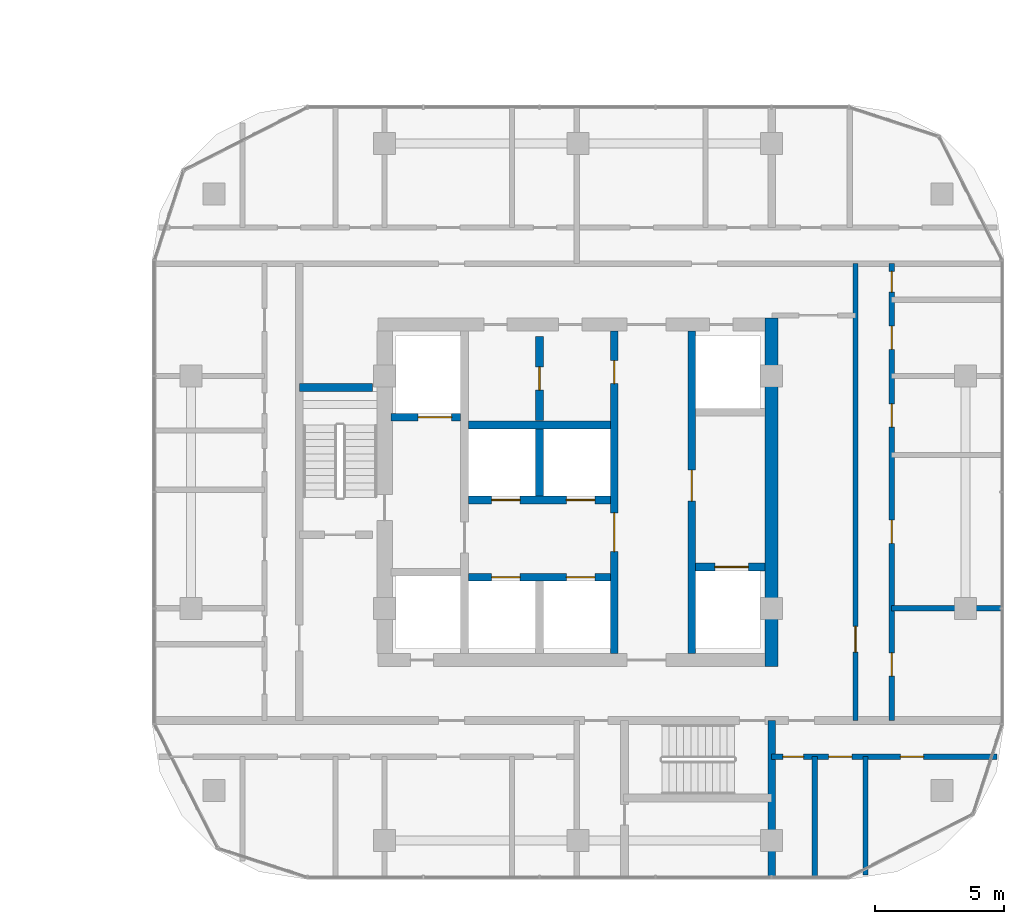
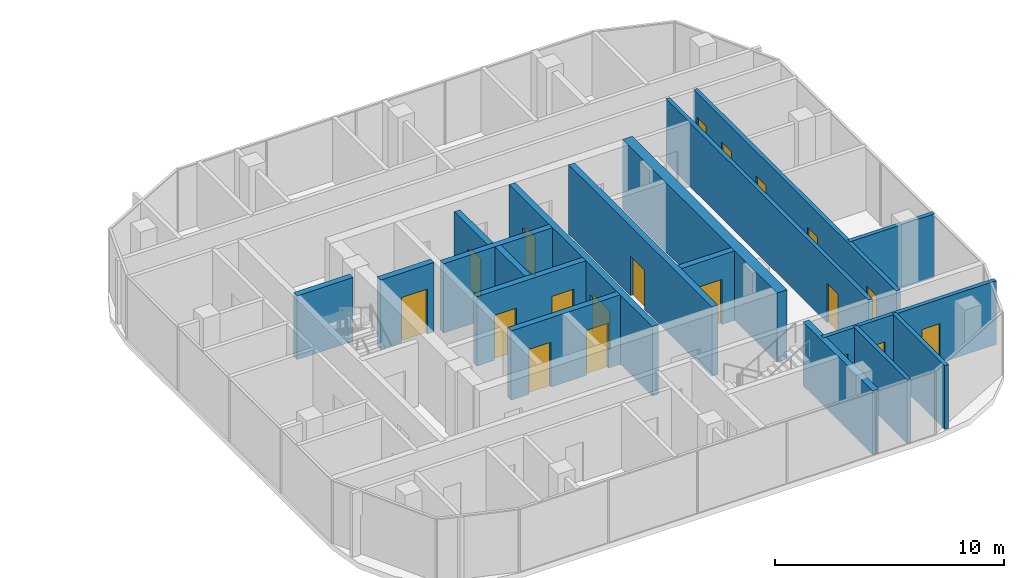
# One storey, part 23 of 33: 19 doors, 18 walls, 19 openings.
"""IFC4 building model written with IfcOpenShell, lengths in metres."""

from ifc_helpers import new_model, si_unit, direction, frame, frame_2d, origin, place, context, subcontext, project, spatial, rectangle, extrude, material, layer, layer_set, type_object, element, fill, save


model = new_model("IFC4")

# Units and contexts
model_context = context("Model", 3, precision=1e-05, world=origin(), true_north=direction((0.0, 1.0)))
body_context = subcontext(model_context, "Body", "Model", "MODEL_VIEW")
ifc_project = project(units=[si_unit("LENGTHUNIT", "METRE"), si_unit("AREAUNIT", "SQUARE_METRE"), si_unit("VOLUMEUNIT", "CUBIC_METRE"), si_unit("PLANEANGLEUNIT", "RADIAN"), si_unit("MASSUNIT", "GRAM", prefix="KILO")], contexts=[model_context])

# Site, building, storey
site_placement = place(None, origin())
site = spatial("IfcSite", under=ifc_project, at=site_placement, CompositionType="ELEMENT")
building_placement = place(site_placement, origin())
building = spatial("IfcBuilding", under=site, at=building_placement, Name="Ogive Portal Towers", CompositionType="ELEMENT")
storey_placement = place(building_placement, frame((0.0, 0.0, 77.89990234375)))
storey = spatial("IfcBuildingStorey", under=building, at=storey_placement, Name="L18", CompositionType="ELEMENT", Elevation=77.89990234375)

# Wall, openings, doors
ifc_material_1 = material(Name="Concrete C60/75", Category="concrete")
ifc_layer_1 = layer(ifc_material_1, 0.300048828125)
ifc_layer_set_1 = layer_set([ifc_layer_1], Name="CORE WALL 300 C60")
wall_type_1 = type_object("IfcWallType", Name="CORE WALL 300 C60", PredefinedType="SHEAR", material=ifc_layer_set_1)
wall_1_placement = place(storey_placement, frame((137.89990234375, 24.75, 0.0), z_axis=(0.0, 0.0, 1.0), x_axis=(0.0, 1.0, 0.0)))
wall_1 = element("IfcWall", 1, at=wall_1_placement, inside=storey, type_object=wall_type_1, Name="Tower B core wall BX2 L18", PredefinedType="SHEAR", context=body_context, shape_type="SweptSolid", body=[
    extrude(rectangle(XDim=12.5, YDim=0.300048828125, at=frame_2d((6.25, 0.0))), origin(), (0.0, 0.0, 1.0), 3.7001953125),
])
opening_1_placement = place(wall_1_placement, frame((3.949951171875, 0.0, 0.0)))
opening_1 = element("IfcOpeningElement", 2, at=opening_1_placement, cuts=wall_1, Name="Opening B05-041", PredefinedType="OPENING", context=body_context, shape_type="SweptSolid", body=[
    extrude(rectangle(XDim=1.5, YDim=2.10009765625, at=frame_2d((0.75, 1.050048828125))), frame((0.0, 0.16015625, 0.0), z_axis=(0.0, -1.0, 0.0), x_axis=(1.0, 0.0, 0.0)), (0.0, 0.0, 1.0), 0.320068359375),
])
opening_2_placement = place(wall_1_placement, frame((10.449951171875, 0.0, 0.0)))
opening_2 = element("IfcOpeningElement", 3, at=opening_2_placement, cuts=wall_1, Name="Opening B05-057", PredefinedType="OPENING", context=body_context, shape_type="SweptSolid", body=[
    extrude(rectangle(XDim=0.89990234375, YDim=2.10009765625, at=frame_2d((0.449951171875, 1.050048828125))), frame((0.0, 0.16015625, 0.0), z_axis=(0.0, -1.0, 0.0), x_axis=(1.0, 0.0, 0.0)), (0.0, 0.0, 1.0), 0.320068359375),
])
ifc_material_2 = material(Name="Steel fire door", Category="steel")
door_type_1 = type_object("IfcDoorType", Name="DT-SWING-1500x2100-FD90S", OperationType="SINGLE_SWING_LEFT", PredefinedType="DOOR", material=ifc_material_2)
door_1_placement = place(opening_1_placement, origin())
door_1 = element("IfcDoor", 4, at=door_1_placement, inside=storey, type_object=door_type_1, Name="Door B05-041", OperationType="SINGLE_SWING_RIGHT", OverallHeight=2.10009765625, OverallWidth=1.5, PredefinedType="DOOR", context=body_context, shape_type="SweptSolid", body=[
    extrude(rectangle(XDim=1.5, YDim=2.10009765625, at=frame_2d((0.75, 1.050048828125))), frame((0.0, 0.02490234375, 0.0), z_axis=(0.0, -1.0, 0.0), x_axis=(1.0, 0.0, 0.0)), (0.0, 0.0, 1.0), 0.050048828125),
])
fill(opening_1, door_1)
door_type_2 = type_object("IfcDoorType", Name="DT-SWING-900x2100-FD90S", OperationType="SINGLE_SWING_LEFT", PredefinedType="DOOR", material=ifc_material_2)
door_2_placement = place(opening_2_placement, origin())
door_2 = element("IfcDoor", 5, at=door_2_placement, inside=storey, type_object=door_type_2, Name="Door B05-057", OperationType="SINGLE_SWING_RIGHT", OverallHeight=2.10009765625, OverallWidth=0.89990234375, PredefinedType="DOOR", context=body_context, shape_type="SweptSolid", body=[
    extrude(rectangle(XDim=0.89990234375, YDim=2.10009765625, at=frame_2d((0.449951171875, 1.050048828125))), frame((0.0, 0.02490234375, 0.0), z_axis=(0.0, -1.0, 0.0), x_axis=(1.0, 0.0, 0.0)), (0.0, 0.0, 1.0), 0.050048828125),
])
fill(opening_2, door_2)

# Wall, opening, door
wall_2_placement = place(storey_placement, frame((140.89990234375, 24.75, 0.0), z_axis=(0.0, 0.0, 1.0), x_axis=(0.0, 1.0, 0.0)))
wall_2 = element("IfcWall", 6, at=wall_2_placement, inside=storey, type_object=wall_type_1, Name="Tower B core wall BX3 L18", PredefinedType="SHEAR", context=body_context, shape_type="SweptSolid", body=[
    extrude(rectangle(XDim=12.5, YDim=0.300048828125, at=frame_2d((6.25, 0.0))), origin(), (0.0, 0.0, 1.0), 3.7001953125),
])
opening_3_placement = place(wall_2_placement, frame((5.89990234375, 0.0, 0.0)))
opening_3 = element("IfcOpeningElement", 7, at=opening_3_placement, cuts=wall_2, Name="Opening B05-043", PredefinedType="OPENING", context=body_context, shape_type="SweptSolid", body=[
    extrude(rectangle(XDim=1.199951171875, YDim=2.10009765625, at=frame_2d((0.60009765625, 1.050048828125))), frame((0.0, 0.16015625, 0.0), z_axis=(0.0, -1.0, 0.0), x_axis=(1.0, 0.0, 0.0)), (0.0, 0.0, 1.0), 0.320068359375),
])
door_type_3 = type_object("IfcDoorType", Name="DT-SWING-1200x2100-FD90S", OperationType="SINGLE_SWING_LEFT", PredefinedType="DOOR", material=ifc_material_2)
door_3_placement = place(opening_3_placement, origin())
door_3 = element("IfcDoor", 8, at=door_3_placement, inside=storey, type_object=door_type_3, Name="Door B05-043", OperationType="SINGLE_SWING_RIGHT", OverallHeight=2.10009765625, OverallWidth=1.199951171875, PredefinedType="DOOR", context=body_context, shape_type="SweptSolid", body=[
    extrude(rectangle(XDim=1.199951171875, YDim=2.10009765625, at=frame_2d((0.60009765625, 1.050048828125))), frame((0.0, 0.02490234375, 0.0), z_axis=(0.0, -1.0, 0.0), x_axis=(1.0, 0.0, 0.0)), (0.0, 0.0, 1.0), 0.050048828125),
])
fill(opening_3, door_3)

# Wall
wall_3_placement = place(storey_placement, frame((135.0, 30.85009765625, 0.0), z_axis=(0.0, 0.0, 1.0), x_axis=(0.0, 1.0, 0.0)))
element("IfcWall", 9, at=wall_3_placement, inside=storey, type_object=wall_type_1, Name="Tower B core wall BX5 L18", PredefinedType="SHEAR", context=body_context, shape_type="SweptSolid", body=[
    extrude(rectangle(XDim=2.599853515625, YDim=0.300048828125, at=frame_2d((1.2998046875, 0.0))), origin(), (0.0, 0.0, 1.0), 3.7001953125),
])

# Wall, openings, doors
wall_4_placement = place(storey_placement, frame((132.25, 27.699951171875, 0.0), z_axis=(0.0, 0.0, 1.0), x_axis=(1.0, 0.0, 0.0)))
wall_4 = element("IfcWall", 10, at=wall_4_placement, inside=storey, type_object=wall_type_1, Name="Tower B core wall BY1 L18", PredefinedType="SHEAR", context=body_context, shape_type="SweptSolid", body=[
    extrude(rectangle(XDim=5.5, YDim=0.300048828125, at=frame_2d((2.75, 0.0))), origin(), (0.0, 0.0, 1.0), 3.7001953125),
])
opening_4_placement = place(wall_4_placement, frame((0.89990234375, 0.0, 0.0)))
opening_4 = element("IfcOpeningElement", 11, at=opening_4_placement, cuts=wall_4, Name="Opening B05-049", PredefinedType="OPENING", context=body_context, shape_type="SweptSolid", body=[
    extrude(rectangle(XDim=1.10009765625, YDim=2.39990234375, at=frame_2d((0.550048828125, 1.199951171875))), frame((0.0, 0.16015625, 0.0), z_axis=(0.0, -1.0, 0.0), x_axis=(1.0, 0.0, 0.0)), (0.0, 0.0, 1.0), 0.320068359375),
])
opening_5_placement = place(wall_4_placement, frame((3.800048828125, 0.0, 0.0)))
opening_5 = element("IfcOpeningElement", 12, at=opening_5_placement, cuts=wall_4, Name="Opening B05-050", PredefinedType="OPENING", context=body_context, shape_type="SweptSolid", body=[
    extrude(rectangle(XDim=1.10009765625, YDim=2.39990234375, at=frame_2d((0.550048828125, 1.199951171875))), frame((0.0, 0.16015625, 0.0), z_axis=(0.0, -1.0, 0.0), x_axis=(1.0, 0.0, 0.0)), (0.0, 0.0, 1.0), 0.320068359375),
])
ifc_material_3 = material(Name="Stainless steel", Category="steel")
door_type_4 = type_object("IfcDoorType", Name="DT-LD-1100x2400", OperationType="SLIDING_TO_LEFT", PredefinedType="DOOR", material=ifc_material_3)
door_4_placement = place(opening_4_placement, origin())
door_4 = element("IfcDoor", 13, at=door_4_placement, inside=storey, type_object=door_type_4, Name="Door B05-049", OperationType="SLIDING_TO_LEFT", OverallHeight=2.39990234375, OverallWidth=1.10009765625, PredefinedType="DOOR", context=body_context, shape_type="SweptSolid", body=[
    extrude(rectangle(XDim=1.10009765625, YDim=2.39990234375, at=frame_2d((0.550048828125, 1.199951171875))), frame((0.0, 0.02490234375, 0.0), z_axis=(0.0, -1.0, 0.0), x_axis=(1.0, 0.0, 0.0)), (0.0, 0.0, 1.0), 0.050048828125),
])
fill(opening_4, door_4)
door_5_placement = place(opening_5_placement, origin())
door_5 = element("IfcDoor", 14, at=door_5_placement, inside=storey, type_object=door_type_4, Name="Door B05-050", OperationType="SLIDING_TO_LEFT", OverallHeight=2.39990234375, OverallWidth=1.10009765625, PredefinedType="DOOR", context=body_context, shape_type="SweptSolid", body=[
    extrude(rectangle(XDim=1.10009765625, YDim=2.39990234375, at=frame_2d((0.550048828125, 1.199951171875))), frame((0.0, 0.02490234375, 0.0), z_axis=(0.0, -1.0, 0.0), x_axis=(1.0, 0.0, 0.0)), (0.0, 0.0, 1.0), 0.050048828125),
])
fill(opening_5, door_5)

wall_5_placement = place(storey_placement, frame((132.25, 30.699951171875, 0.0), z_axis=(0.0, 0.0, 1.0), x_axis=(1.0, 0.0, 0.0)))
wall_5 = element("IfcWall", 15, at=wall_5_placement, inside=storey, type_object=wall_type_1, Name="Tower B core wall BY2 L18", PredefinedType="SHEAR", context=body_context, shape_type="SweptSolid", body=[
    extrude(rectangle(XDim=5.5, YDim=0.300048828125, at=frame_2d((2.75, 0.0))), origin(), (0.0, 0.0, 1.0), 3.7001953125),
])
opening_6_placement = place(wall_5_placement, frame((0.89990234375, 0.0, 0.0)))
opening_6 = element("IfcOpeningElement", 16, at=opening_6_placement, cuts=wall_5, Name="Opening B05-051", PredefinedType="OPENING", context=body_context, shape_type="SweptSolid", body=[
    extrude(rectangle(XDim=1.10009765625, YDim=2.39990234375, at=frame_2d((0.550048828125, 1.199951171875))), frame((0.0, 0.16015625, 0.0), z_axis=(0.0, -1.0, 0.0), x_axis=(1.0, 0.0, 0.0)), (0.0, 0.0, 1.0), 0.320068359375),
])
opening_7_placement = place(wall_5_placement, frame((3.800048828125, 0.0, 0.0)))
opening_7 = element("IfcOpeningElement", 17, at=opening_7_placement, cuts=wall_5, Name="Opening B05-052", PredefinedType="OPENING", context=body_context, shape_type="SweptSolid", body=[
    extrude(rectangle(XDim=1.10009765625, YDim=2.39990234375, at=frame_2d((0.550048828125, 1.199951171875))), frame((0.0, 0.16015625, 0.0), z_axis=(0.0, -1.0, 0.0), x_axis=(1.0, 0.0, 0.0)), (0.0, 0.0, 1.0), 0.320068359375),
])
door_6_placement = place(opening_6_placement, origin())
door_6 = element("IfcDoor", 18, at=door_6_placement, inside=storey, type_object=door_type_4, Name="Door B05-051", OperationType="SLIDING_TO_LEFT", OverallHeight=2.39990234375, OverallWidth=1.10009765625, PredefinedType="DOOR", context=body_context, shape_type="SweptSolid", body=[
    extrude(rectangle(XDim=1.10009765625, YDim=2.39990234375, at=frame_2d((0.550048828125, 1.199951171875))), frame((0.0, 0.02490234375, 0.0), z_axis=(0.0, -1.0, 0.0), x_axis=(1.0, 0.0, 0.0)), (0.0, 0.0, 1.0), 0.050048828125),
])
fill(opening_6, door_6)
door_7_placement = place(opening_7_placement, origin())
door_7 = element("IfcDoor", 19, at=door_7_placement, inside=storey, type_object=door_type_4, Name="Door B05-052", OperationType="SLIDING_TO_LEFT", OverallHeight=2.39990234375, OverallWidth=1.10009765625, PredefinedType="DOOR", context=body_context, shape_type="SweptSolid", body=[
    extrude(rectangle(XDim=1.10009765625, YDim=2.39990234375, at=frame_2d((0.550048828125, 1.199951171875))), frame((0.0, 0.02490234375, 0.0), z_axis=(0.0, -1.0, 0.0), x_axis=(1.0, 0.0, 0.0)), (0.0, 0.0, 1.0), 0.050048828125),
])
fill(opening_7, door_7)

# Wall
wall_6_placement = place(storey_placement, frame((132.25, 33.60009765625, 0.0), z_axis=(0.0, 0.0, 1.0), x_axis=(1.0, 0.0, 0.0)))
element("IfcWall", 20, at=wall_6_placement, inside=storey, type_object=wall_type_1, Name="Tower B core wall BY3 L18", PredefinedType="SHEAR", context=body_context, shape_type="SweptSolid", body=[
    extrude(rectangle(XDim=5.5, YDim=0.300048828125, at=frame_2d((2.75, 0.0))), origin(), (0.0, 0.0, 1.0), 3.7001953125),
])

# Wall, opening, door
wall_7_placement = place(storey_placement, frame((129.25, 33.89990234375, 0.0), z_axis=(0.0, 0.0, 1.0), x_axis=(1.0, 0.0, 0.0)))
wall_7 = element("IfcWall", 21, at=wall_7_placement, inside=storey, type_object=wall_type_1, Name="Tower B core wall BY5 L18", PredefinedType="SHEAR", context=body_context, shape_type="SweptSolid", body=[
    extrude(rectangle(XDim=2.699951171875, YDim=0.300048828125, at=frame_2d((1.35009765625, 0.0))), origin(), (0.0, 0.0, 1.0), 3.7001953125),
])
opening_8_placement = place(wall_7_placement, frame((1.050048828125, 0.0, 0.0)))
opening_8 = element("IfcOpeningElement", 22, at=opening_8_placement, cuts=wall_7, Name="Opening B05-053", PredefinedType="OPENING", context=body_context, shape_type="SweptSolid", body=[
    extrude(rectangle(XDim=1.300048828125, YDim=2.39990234375, at=frame_2d((0.64990234375, 1.199951171875))), frame((0.0, 0.16015625, 0.0), z_axis=(0.0, -1.0, 0.0), x_axis=(1.0, 0.0, 0.0)), (0.0, 0.0, 1.0), 0.320068359375),
])
door_type_5 = type_object("IfcDoorType", Name="DT-LD-1300x2400", OperationType="SLIDING_TO_LEFT", PredefinedType="DOOR", material=ifc_material_3)
door_8_placement = place(opening_8_placement, origin())
door_8 = element("IfcDoor", 23, at=door_8_placement, inside=storey, type_object=door_type_5, Name="Door B05-053", OperationType="SLIDING_TO_LEFT", OverallHeight=2.39990234375, OverallWidth=1.300048828125, PredefinedType="DOOR", context=body_context, shape_type="SweptSolid", body=[
    extrude(rectangle(XDim=1.300048828125, YDim=2.39990234375, at=frame_2d((0.64990234375, 1.199951171875))), frame((0.0, 0.02490234375, 0.0), z_axis=(0.0, -1.0, 0.0), x_axis=(1.0, 0.0, 0.0)), (0.0, 0.0, 1.0), 0.050048828125),
])
fill(opening_8, door_8)

wall_8_placement = place(storey_placement, frame((141.050048828125, 28.10009765625, 0.0), z_axis=(0.0, 0.0, 1.0), x_axis=(1.0, 0.0, 0.0)))
wall_8 = element("IfcWall", 24, at=wall_8_placement, inside=storey, type_object=wall_type_1, Name="Tower B core wall BY6 L18", PredefinedType="SHEAR", context=body_context, shape_type="SweptSolid", body=[
    extrude(rectangle(XDim=2.699951171875, YDim=0.300048828125, at=frame_2d((1.35009765625, 0.0))), origin(), (0.0, 0.0, 1.0), 3.7001953125),
])
opening_9_placement = place(wall_8_placement, frame((0.75, 0.0, 0.0)))
opening_9 = element("IfcOpeningElement", 25, at=opening_9_placement, cuts=wall_8, Name="Opening B05-054", PredefinedType="OPENING", context=body_context, shape_type="SweptSolid", body=[
    extrude(rectangle(XDim=1.300048828125, YDim=2.39990234375, at=frame_2d((0.64990234375, 1.199951171875))), frame((0.0, 0.16015625, 0.0), z_axis=(0.0, -1.0, 0.0), x_axis=(1.0, 0.0, 0.0)), (0.0, 0.0, 1.0), 0.320068359375),
])
door_9_placement = place(opening_9_placement, origin())
door_9 = element("IfcDoor", 26, at=door_9_placement, inside=storey, type_object=door_type_5, Name="Door B05-054", OperationType="SLIDING_TO_LEFT", OverallHeight=2.39990234375, OverallWidth=1.300048828125, PredefinedType="DOOR", context=body_context, shape_type="SweptSolid", body=[
    extrude(rectangle(XDim=1.300048828125, YDim=2.39990234375, at=frame_2d((0.64990234375, 1.199951171875))), frame((0.0, 0.02490234375, 0.0), z_axis=(0.0, -1.0, 0.0), x_axis=(1.0, 0.0, 0.0)), (0.0, 0.0, 1.0), 0.050048828125),
])
fill(opening_9, door_9)

# Walls
ifc_layer_2 = layer(ifc_material_1, 0.5)
ifc_layer_set_2 = layer_set([ifc_layer_2], Name="CORE WALL 500 C60")
wall_type_2 = type_object("IfcWallType", Name="CORE WALL 500 C60", PredefinedType="SHEAR", material=ifc_layer_set_2)
wall_9_placement = place(storey_placement, frame((144.0, 24.25, 0.0), z_axis=(0.0, 0.0, 1.0), x_axis=(0.0, 1.0, 0.0)))
element("IfcWall", 27, at=wall_9_placement, inside=storey, type_object=wall_type_2, Name="Tower B core wall BE L18", PredefinedType="SHEAR", context=body_context, shape_type="SweptSolid", body=[
    extrude(rectangle(XDim=13.5, YDim=0.5, at=frame_2d((6.75, 0.0))), origin(), (0.0, 0.0, 1.0), 3.7001953125),
])
ifc_material_4 = material(Name="Concrete C50/60", Category="concrete")
ifc_layer_3 = layer(ifc_material_4, 0.300048828125)
ifc_layer_set_3 = layer_set([ifc_layer_3], Name="STAIR WALL 300 C50")
wall_type_3 = type_object("IfcWallType", Name="STAIR WALL 300 C50", PredefinedType="SHEAR", material=ifc_layer_set_3)
wall_10_placement = place(storey_placement, frame((125.699951171875, 35.050048828125, 0.0), z_axis=(0.0, 0.0, 1.0), x_axis=(1.0, 0.0, 0.0)))
element("IfcWall", 28, at=wall_10_placement, inside=storey, type_object=wall_type_3, Name="Stair wall ST-B1 L18", PredefinedType="SHEAR", context=body_context, shape_type="SweptSolid", body=[
    extrude(rectangle(XDim=2.830078125, YDim=0.300048828125, at=frame_2d((1.4150390625, 0.0))), origin(), (0.0, 0.0, 1.0), 3.400146484375),
])
wall_11_placement = place(storey_placement, frame((144.0, 16.070068359375, 0.0), z_axis=(0.0, 0.0, 1.0), x_axis=(0.0, 1.0, 0.0)))
element("IfcWall", 29, at=wall_11_placement, inside=storey, type_object=wall_type_3, Name="Stair wall ST-B2 L18", PredefinedType="SHEAR", context=body_context, shape_type="SweptSolid", body=[
    extrude(rectangle(XDim=6.079833984375, YDim=0.300048828125, at=frame_2d((3.0400390625, 0.0))), origin(), (0.0, 0.0, 1.0), 3.400146484375),
])

# Wall, openings, doors
ifc_material_5 = material(Name="Gypsum board partition on steel studs", Category="steel")
ifc_layer_4 = layer(ifc_material_5, 0.199951171875)
ifc_layer_set_4 = layer_set([ifc_layer_4], Name="WT-PART-200-EI 60")
wall_type_4 = type_object("IfcWallType", Name="WT-PART-200-EI 60", PredefinedType="PARTITIONING", material=ifc_layer_set_4)
wall_12_placement = place(storey_placement, frame((144.0, 20.75, 0.0), z_axis=(0.0, 0.0, 1.0), x_axis=(1.0, 0.0, 0.0)))
wall_12 = element("IfcWall", 30, at=wall_12_placement, inside=storey, type_object=wall_type_4, Name="Wall L18:w003", PredefinedType="PARTITIONING", context=body_context, shape_type="SweptSolid", body=[
    extrude(rectangle(XDim=8.73095703125, YDim=0.199951171875, at=frame_2d((4.365478515625, 0.0))), origin(), (0.0, 0.0, 1.0), 3.400146484375),
])
opening_10_placement = place(wall_12_placement, frame((0.43505859375, 0.0, 0.0)))
opening_10 = element("IfcOpeningElement", 31, at=opening_10_placement, cuts=wall_12, Name="Opening B05-023", PredefinedType="OPENING", context=body_context, shape_type="SweptSolid", body=[
    extrude(rectangle(XDim=0.800048828125, YDim=2.10009765625, at=frame_2d((0.39990234375, 1.050048828125))), frame((0.0, 0.10986328125, 0.0), z_axis=(0.0, -1.0, 0.0), x_axis=(1.0, 0.0, 0.0)), (0.0, 0.0, 1.0), 0.219970703125),
])
opening_11_placement = place(wall_12_placement, frame((2.201904296875, 0.0, 0.0)))
opening_11 = element("IfcOpeningElement", 32, at=opening_11_placement, cuts=wall_12, Name="Opening B05-024", PredefinedType="OPENING", context=body_context, shape_type="SweptSolid", body=[
    extrude(rectangle(XDim=0.89990234375, YDim=2.10009765625, at=frame_2d((0.449951171875, 1.050048828125))), frame((0.0, 0.10986328125, 0.0), z_axis=(0.0, -1.0, 0.0), x_axis=(1.0, 0.0, 0.0)), (0.0, 0.0, 1.0), 0.219970703125),
])
opening_12_placement = place(wall_12_placement, frame((4.98388671875, 0.0, 0.0)))
opening_12 = element("IfcOpeningElement", 33, at=opening_12_placement, cuts=wall_12, Name="Opening B05-025", PredefinedType="OPENING", context=body_context, shape_type="SweptSolid", body=[
    extrude(rectangle(XDim=0.89990234375, YDim=2.10009765625, at=frame_2d((0.449951171875, 1.050048828125))), frame((0.0, 0.10986328125, 0.0), z_axis=(0.0, -1.0, 0.0), x_axis=(1.0, 0.0, 0.0)), (0.0, 0.0, 1.0), 0.219970703125),
])
door_type_6 = type_object("IfcDoorType", Name="DT-SWING-800x2100-FD60S", OperationType="SINGLE_SWING_LEFT", PredefinedType="DOOR", material=ifc_material_2)
door_10_placement = place(opening_10_placement, origin())
door_10 = element("IfcDoor", 34, at=door_10_placement, inside=storey, type_object=door_type_6, Name="Door B05-023", OperationType="SINGLE_SWING_LEFT", OverallHeight=2.10009765625, OverallWidth=0.800048828125, PredefinedType="DOOR", context=body_context, shape_type="SweptSolid", body=[
    extrude(rectangle(XDim=0.800048828125, YDim=2.10009765625, at=frame_2d((0.39990234375, 1.050048828125))), frame((0.0, 0.02490234375, 0.0), z_axis=(0.0, -1.0, 0.0), x_axis=(1.0, 0.0, 0.0)), (0.0, 0.0, 1.0), 0.050048828125),
])
fill(opening_10, door_10)
door_type_7 = type_object("IfcDoorType", Name="DT-SWING-900x2100-FD60S", OperationType="SINGLE_SWING_LEFT", PredefinedType="DOOR", material=ifc_material_2)
door_11_placement = place(opening_11_placement, origin())
door_11 = element("IfcDoor", 35, at=door_11_placement, inside=storey, type_object=door_type_7, Name="Door B05-024", OperationType="SINGLE_SWING_RIGHT", OverallHeight=2.10009765625, OverallWidth=0.89990234375, PredefinedType="DOOR", context=body_context, shape_type="SweptSolid", body=[
    extrude(rectangle(XDim=0.89990234375, YDim=2.10009765625, at=frame_2d((0.449951171875, 1.050048828125))), frame((0.0, 0.02490234375, 0.0), z_axis=(0.0, -1.0, 0.0), x_axis=(1.0, 0.0, 0.0)), (0.0, 0.0, 1.0), 0.050048828125),
])
fill(opening_11, door_11)
door_12_placement = place(opening_12_placement, origin())
door_12 = element("IfcDoor", 36, at=door_12_placement, inside=storey, type_object=door_type_7, Name="Door B05-025", OperationType="SINGLE_SWING_LEFT", OverallHeight=2.10009765625, OverallWidth=0.89990234375, PredefinedType="DOOR", context=body_context, shape_type="SweptSolid", body=[
    extrude(rectangle(XDim=0.89990234375, YDim=2.10009765625, at=frame_2d((0.449951171875, 1.050048828125))), frame((0.0, 0.02490234375, 0.0), z_axis=(0.0, -1.0, 0.0), x_axis=(1.0, 0.0, 0.0)), (0.0, 0.0, 1.0), 0.050048828125),
])
fill(opening_12, door_12)

# Walls
wall_13_placement = place(storey_placement, frame((148.64990234375, 26.5, 0.0), z_axis=(0.0, 0.0, 1.0), x_axis=(1.0, 0.0, 0.0)))
element("IfcWall", 37, at=wall_13_placement, inside=storey, type_object=wall_type_4, Name="Wall L18:w009", PredefinedType="PARTITIONING", context=body_context, shape_type="SweptSolid", body=[
    extrude(rectangle(XDim=4.280029296875, YDim=0.199951171875, at=frame_2d((2.14013671875, 0.0))), origin(), (0.0, 0.0, 1.0), 3.400146484375),
])
wall_14_placement = place(storey_placement, frame((145.669921875, 16.070068359375, 0.0), z_axis=(0.0, 0.0, 1.0), x_axis=(0.0, 1.0, 0.0)))
element("IfcWall", 38, at=wall_14_placement, inside=storey, type_object=wall_type_4, Name="Wall L18:w043", PredefinedType="PARTITIONING", context=body_context, shape_type="SweptSolid", body=[
    extrude(rectangle(XDim=4.679931640625, YDim=0.199951171875, at=frame_2d((2.33984375, 0.0))), origin(), (0.0, 0.0, 1.0), 3.400146484375),
])

# Wall, opening, door
wall_15_placement = place(storey_placement, frame((147.25, 22.14990234375, 0.0), z_axis=(0.0, 0.0, 1.0), x_axis=(0.0, 1.0, 0.0)))
wall_15 = element("IfcWall", 39, at=wall_15_placement, inside=storey, type_object=wall_type_4, Name="Wall L18:w045", PredefinedType="PARTITIONING", context=body_context, shape_type="SweptSolid", body=[
    extrude(rectangle(XDim=17.7001953125, YDim=0.199951171875, at=frame_2d((8.85009765625, 0.0))), origin(), (0.0, 0.0, 1.0), 3.400146484375),
])
opening_13_placement = place(wall_15_placement, frame((2.64990234375, 0.0, 0.0)))
opening_13 = element("IfcOpeningElement", 40, at=opening_13_placement, cuts=wall_15, Name="Opening B05-035", PredefinedType="OPENING", context=body_context, shape_type="SweptSolid", body=[
    extrude(rectangle(XDim=1.0, YDim=2.10009765625, at=frame_2d((0.5, 1.050048828125))), frame((0.0, 0.10986328125, 0.0), z_axis=(0.0, -1.0, 0.0), x_axis=(1.0, 0.0, 0.0)), (0.0, 0.0, 1.0), 0.219970703125),
])
door_type_8 = type_object("IfcDoorType", Name="DT-SWING-1000x2100-FD60S", OperationType="SINGLE_SWING_LEFT", PredefinedType="DOOR", material=ifc_material_2)
door_13_placement = place(opening_13_placement, origin())
door_13 = element("IfcDoor", 41, at=door_13_placement, inside=storey, type_object=door_type_8, Name="Door B05-035", OperationType="SINGLE_SWING_LEFT", OverallHeight=2.10009765625, OverallWidth=1.0, PredefinedType="DOOR", context=body_context, shape_type="SweptSolid", body=[
    extrude(rectangle(XDim=1.0, YDim=2.10009765625, at=frame_2d((0.5, 1.050048828125))), frame((0.0, 0.02490234375, 0.0), z_axis=(0.0, -1.0, 0.0), x_axis=(1.0, 0.0, 0.0)), (0.0, 0.0, 1.0), 0.050048828125),
])
fill(opening_13, door_13)

# Wall
wall_16_placement = place(storey_placement, frame((147.633056640625, 16.1708984375, 0.0), z_axis=(0.0, 0.0, 1.0), x_axis=(0.0, 1.0, 0.0)))
element("IfcWall", 42, at=wall_16_placement, inside=storey, type_object=wall_type_4, Name="Wall L18:w046", PredefinedType="PARTITIONING", context=body_context, shape_type="SweptSolid", body=[
    extrude(rectangle(XDim=4.5791015625, YDim=0.199951171875, at=frame_2d((2.28955078125, 0.0))), origin(), (0.0, 0.0, 1.0), 3.400146484375),
])

# Wall, openings, doors
wall_17_placement = place(storey_placement, frame((148.64990234375, 22.14990234375, 0.0), z_axis=(0.0, 0.0, 1.0), x_axis=(0.0, 1.0, 0.0)))
wall_17 = element("IfcWall", 43, at=wall_17_placement, inside=storey, type_object=wall_type_4, Name="Wall L18:w047", PredefinedType="PARTITIONING", context=body_context, shape_type="SweptSolid", body=[
    extrude(rectangle(XDim=17.7001953125, YDim=0.199951171875, at=frame_2d((8.85009765625, 0.0))), origin(), (0.0, 0.0, 1.0), 3.400146484375),
])
opening_14_placement = place(wall_17_placement, frame((1.72509765625, 0.0, 0.0)))
opening_14 = element("IfcOpeningElement", 44, at=opening_14_placement, cuts=wall_17, Name="Opening B05-036", PredefinedType="OPENING", context=body_context, shape_type="SweptSolid", body=[
    extrude(rectangle(XDim=0.89990234375, YDim=2.10009765625, at=frame_2d((0.449951171875, 1.050048828125))), frame((0.0, 0.10986328125, 0.0), z_axis=(0.0, -1.0, 0.0), x_axis=(1.0, 0.0, 0.0)), (0.0, 0.0, 1.0), 0.219970703125),
])
opening_15_placement = place(wall_17_placement, frame((6.866943359375, 0.0, 0.0)))
opening_15 = element("IfcOpeningElement", 45, at=opening_15_placement, cuts=wall_17, Name="Opening B05-037", PredefinedType="OPENING", context=body_context, shape_type="SweptSolid", body=[
    extrude(rectangle(XDim=0.89990234375, YDim=2.10009765625, at=frame_2d((0.449951171875, 1.050048828125))), frame((0.0, 0.10986328125, 0.0), z_axis=(0.0, -1.0, 0.0), x_axis=(1.0, 0.0, 0.0)), (0.0, 0.0, 1.0), 0.219970703125),
])
opening_16_placement = place(wall_17_placement, frame((11.366943359375, 0.0, 0.0)))
opening_16 = element("IfcOpeningElement", 46, at=opening_16_placement, cuts=wall_17, Name="Opening B05-038", PredefinedType="OPENING", context=body_context, shape_type="SweptSolid", body=[
    extrude(rectangle(XDim=0.89990234375, YDim=2.10009765625, at=frame_2d((0.449951171875, 1.050048828125))), frame((0.0, 0.10986328125, 0.0), z_axis=(0.0, -1.0, 0.0), x_axis=(1.0, 0.0, 0.0)), (0.0, 0.0, 1.0), 0.219970703125),
])
opening_17_placement = place(wall_17_placement, frame((14.3779296875, 0.0, 0.0)))
opening_17 = element("IfcOpeningElement", 47, at=opening_17_placement, cuts=wall_17, Name="Opening B05-039", PredefinedType="OPENING", context=body_context, shape_type="SweptSolid", body=[
    extrude(rectangle(XDim=0.89990234375, YDim=2.10009765625, at=frame_2d((0.449951171875, 1.050048828125))), frame((0.0, 0.10986328125, 0.0), z_axis=(0.0, -1.0, 0.0), x_axis=(1.0, 0.0, 0.0)), (0.0, 0.0, 1.0), 0.219970703125),
])
opening_18_placement = place(wall_17_placement, frame((16.60302734375, 0.0, 0.0)))
opening_18 = element("IfcOpeningElement", 48, at=opening_18_placement, cuts=wall_17, Name="Opening B05-040", PredefinedType="OPENING", context=body_context, shape_type="SweptSolid", body=[
    extrude(rectangle(XDim=0.800048828125, YDim=2.10009765625, at=frame_2d((0.39990234375, 1.050048828125))), frame((0.0, 0.10986328125, 0.0), z_axis=(0.0, -1.0, 0.0), x_axis=(1.0, 0.0, 0.0)), (0.0, 0.0, 1.0), 0.219970703125),
])
door_14_placement = place(opening_18_placement, origin())
door_14 = element("IfcDoor", 49, at=door_14_placement, inside=storey, type_object=door_type_6, Name="Door B05-040", OperationType="SINGLE_SWING_RIGHT", OverallHeight=2.10009765625, OverallWidth=0.800048828125, PredefinedType="DOOR", context=body_context, shape_type="SweptSolid", body=[
    extrude(rectangle(XDim=0.800048828125, YDim=2.10009765625, at=frame_2d((0.39990234375, 1.050048828125))), frame((0.0, 0.02490234375, 0.0), z_axis=(0.0, -1.0, 0.0), x_axis=(1.0, 0.0, 0.0)), (0.0, 0.0, 1.0), 0.050048828125),
])
fill(opening_18, door_14)
door_15_placement = place(opening_14_placement, origin())
door_15 = element("IfcDoor", 50, at=door_15_placement, inside=storey, type_object=door_type_7, Name="Door B05-036", OperationType="SINGLE_SWING_RIGHT", OverallHeight=2.10009765625, OverallWidth=0.89990234375, PredefinedType="DOOR", context=body_context, shape_type="SweptSolid", body=[
    extrude(rectangle(XDim=0.89990234375, YDim=2.10009765625, at=frame_2d((0.449951171875, 1.050048828125))), frame((0.0, 0.02490234375, 0.0), z_axis=(0.0, -1.0, 0.0), x_axis=(1.0, 0.0, 0.0)), (0.0, 0.0, 1.0), 0.050048828125),
])
fill(opening_14, door_15)
door_16_placement = place(opening_15_placement, origin())
door_16 = element("IfcDoor", 51, at=door_16_placement, inside=storey, type_object=door_type_7, Name="Door B05-037", OperationType="SINGLE_SWING_LEFT", OverallHeight=2.10009765625, OverallWidth=0.89990234375, PredefinedType="DOOR", context=body_context, shape_type="SweptSolid", body=[
    extrude(rectangle(XDim=0.89990234375, YDim=2.10009765625, at=frame_2d((0.449951171875, 1.050048828125))), frame((0.0, 0.02490234375, 0.0), z_axis=(0.0, -1.0, 0.0), x_axis=(1.0, 0.0, 0.0)), (0.0, 0.0, 1.0), 0.050048828125),
])
fill(opening_15, door_16)
door_17_placement = place(opening_16_placement, origin())
door_17 = element("IfcDoor", 52, at=door_17_placement, inside=storey, type_object=door_type_7, Name="Door B05-038", OperationType="SINGLE_SWING_RIGHT", OverallHeight=2.10009765625, OverallWidth=0.89990234375, PredefinedType="DOOR", context=body_context, shape_type="SweptSolid", body=[
    extrude(rectangle(XDim=0.89990234375, YDim=2.10009765625, at=frame_2d((0.449951171875, 1.050048828125))), frame((0.0, 0.02490234375, 0.0), z_axis=(0.0, -1.0, 0.0), x_axis=(1.0, 0.0, 0.0)), (0.0, 0.0, 1.0), 0.050048828125),
])
fill(opening_16, door_17)
door_18_placement = place(opening_17_placement, origin())
door_18 = element("IfcDoor", 53, at=door_18_placement, inside=storey, type_object=door_type_7, Name="Door B05-039", OperationType="SINGLE_SWING_LEFT", OverallHeight=2.10009765625, OverallWidth=0.89990234375, PredefinedType="DOOR", context=body_context, shape_type="SweptSolid", body=[
    extrude(rectangle(XDim=0.89990234375, YDim=2.10009765625, at=frame_2d((0.449951171875, 1.050048828125))), frame((0.0, 0.02490234375, 0.0), z_axis=(0.0, -1.0, 0.0), x_axis=(1.0, 0.0, 0.0)), (0.0, 0.0, 1.0), 0.050048828125),
])
fill(opening_17, door_18)

# Wall, opening, door
ifc_layer_5 = layer(ifc_material_5, 0.300048828125)
ifc_layer_set_5 = layer_set([ifc_layer_5], Name="WT-PART-300-EI 120")
wall_type_5 = type_object("IfcWallType", Name="WT-PART-300-EI 120", PredefinedType="PARTITIONING", material=ifc_layer_set_5)
wall_18_placement = place(storey_placement, frame((135.0, 33.77001953125, 0.0), z_axis=(0.0, 0.0, 1.0), x_axis=(0.0, 1.0, 0.0)))
wall_18 = element("IfcWall", 54, at=wall_18_placement, inside=storey, type_object=wall_type_5, Name="Wall L18:w034", PredefinedType="PARTITIONING", context=body_context, shape_type="SweptSolid", body=[
    extrude(rectangle(XDim=3.260009765625, YDim=0.300048828125, at=frame_2d((1.6298828125, 0.0))), origin(), (0.0, 0.0, 1.0), 3.400146484375),
])
opening_19_placement = place(wall_18_placement, frame((1.179931640625, 0.0, 0.0)))
opening_19 = element("IfcOpeningElement", 55, at=opening_19_placement, cuts=wall_18, Name="Opening B05-004", PredefinedType="OPENING", context=body_context, shape_type="SweptSolid", body=[
    extrude(rectangle(XDim=0.89990234375, YDim=2.10009765625, at=frame_2d((0.449951171875, 1.050048828125))), frame((0.0, 0.16015625, 0.0), z_axis=(0.0, -1.0, 0.0), x_axis=(1.0, 0.0, 0.0)), (0.0, 0.0, 1.0), 0.320068359375),
])
door_19_placement = place(opening_19_placement, origin())
door_19 = element("IfcDoor", 56, at=door_19_placement, inside=storey, type_object=door_type_2, Name="Door B05-004", OperationType="SINGLE_SWING_RIGHT", OverallHeight=2.10009765625, OverallWidth=0.89990234375, PredefinedType="DOOR", context=body_context, shape_type="SweptSolid", body=[
    extrude(rectangle(XDim=0.89990234375, YDim=2.10009765625, at=frame_2d((0.449951171875, 1.050048828125))), frame((0.0, 0.02490234375, 0.0), z_axis=(0.0, -1.0, 0.0), x_axis=(1.0, 0.0, 0.0)), (0.0, 0.0, 1.0), 0.050048828125),
])
fill(opening_19, door_19)

save(model, "model.ifc")
